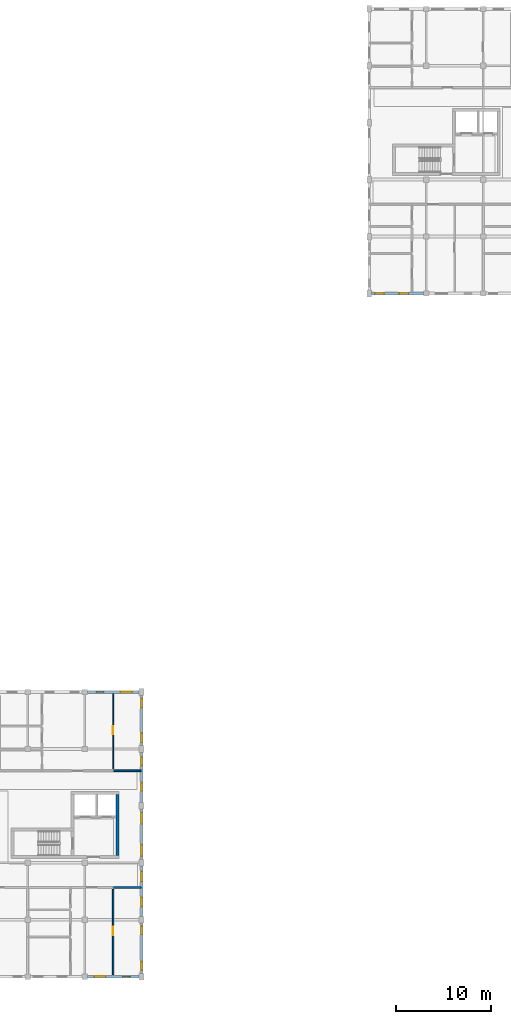
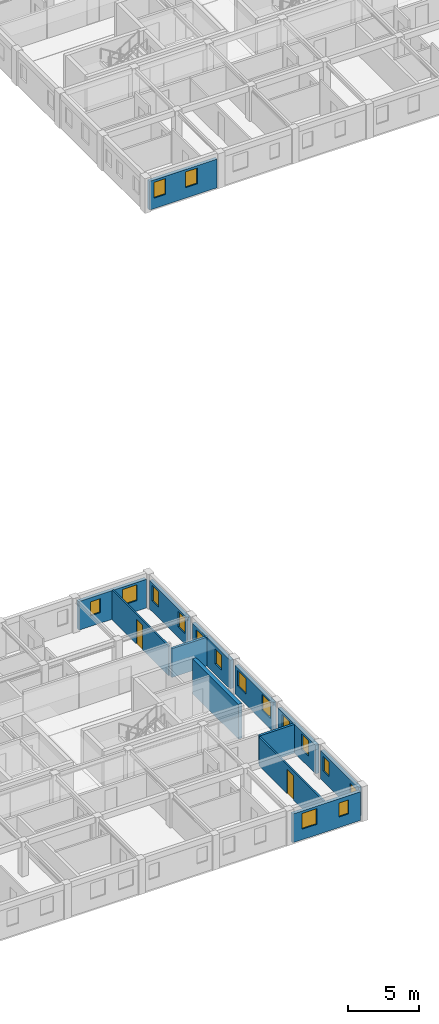
# One storey, part 19 of 28: 16 windows, 13 walls, 2 doors, 18 openings.
"""IFC4 building model written with IfcOpenShell, lengths in metres."""

from ifc_helpers import new_model, si_unit, direction, frame, frame_2d, origin, place, context, subcontext, project, spatial, rectangle, extrude, material, layer, layer_set, type_object, element, fill, save


model = new_model("IFC4")

# Units and contexts
model_context = context("Model", 3, precision=1e-05, world=origin(), true_north=direction((0.0, 1.0)))
body_context = subcontext(model_context, "Body", "Model", "MODEL_VIEW")
ifc_project = project(units=[si_unit("LENGTHUNIT", "METRE"), si_unit("AREAUNIT", "SQUARE_METRE"), si_unit("VOLUMEUNIT", "CUBIC_METRE"), si_unit("PLANEANGLEUNIT", "RADIAN"), si_unit("MASSUNIT", "GRAM", prefix="KILO"), si_unit("POWERUNIT", "WATT"), si_unit("THERMODYNAMICTEMPERATUREUNIT", "KELVIN")], contexts=[model_context])

# Site, building, storey
site_placement = place(None, origin())
site = spatial("IfcSite", under=ifc_project, at=site_placement, CompositionType="ELEMENT")
building_placement = place(site_placement, origin())
building = spatial("IfcBuilding", under=site, at=building_placement, Name="Ruvembo Vaulted Housing Court", CompositionType="ELEMENT")
storey_placement = place(building_placement, frame((0.0, 0.0, 23.699951171875)))
storey = spatial("IfcBuildingStorey", under=building, at=storey_placement, Name="L07", CompositionType="ELEMENT", Elevation=23.699951171875)

# Walls
ifc_material_1 = material(Name="Concrete C35/45", Category="concrete")
ifc_layer_1 = layer(ifc_material_1, 0.300048828125, Name="Concrete C35/45")
ifc_layer_set_1 = layer_set([ifc_layer_1], Name="Concrete C35/45")
wall_type_1 = type_object("IfcWallType", Name="WL-CORE-300", PredefinedType="SHEAR", material=ifc_layer_set_1)
wall_1_placement = place(storey_placement, frame((129.449951171875, 12.75, 0.0), z_axis=(0.0, 0.0, 1.0), x_axis=(0.0, 1.0, 0.0)))
element("IfcWall", 1, at=wall_1_placement, inside=storey, type_object=wall_type_1, Name="Core C2 L07 East Shear Wall", PredefinedType="SHEAR", context=body_context, shape_type="SweptSolid", body=[
    extrude(rectangle(XDim=6.449951171875, YDim=0.300048828125, at=frame_2d((3.22509765625, 0.0))), origin(), (0.0, 0.0, 1.0), 2.97509765625),
])
ifc_material_2 = material(Name="Concrete Blockwork 190", Category="masonry")
ifc_layer_2 = layer(ifc_material_2, 0.18994140625, Name="Concrete Blockwork 190")
ifc_layer_set_2 = layer_set([ifc_layer_2], Name="Concrete Blockwork 190")
wall_type_2 = type_object("IfcWallType", Name="WL-CORR-190", PredefinedType="SOLIDWALL", material=ifc_layer_set_2)
for number, where, z_axis, x_axis, name in (
    (2, (129.0400390625, 9.39990234375, 0.0), (0.0, 0.0, 1.0), (1.0, 0.0, 0.0), "L07 Flat C-L07-S3 Corridor Wall 2 WL-INT-L07-01952"),
    (3, (129.0400390625, 21.699951171875, 0.0), (0.0, 0.0, 1.0), (1.0, 0.0, 0.0), "L07 Flat C-L07-N2 Corridor Wall 2 WL-INT-L07-01971"),
):
    element("IfcWall", number, at=place(storey_placement, frame(where, z_axis=z_axis, x_axis=x_axis)), inside=storey, type_object=wall_type_2, Name=name, PredefinedType="SOLIDWALL", context=body_context, shape_type="SweptSolid", body=[
        extrude(rectangle(XDim=2.919921875, YDim=0.18994140625, at=frame_2d((1.4599609375, 0.0))), origin(), (0.0, 0.0, 1.0), 2.45703125),
    ])

# Wall, openings, windows
ifc_material_3 = material(Name="Rendered Masonry 270", Category="masonry")
ifc_layer_3 = layer(ifc_material_3, 0.27001953125, Name="Rendered Masonry 270")
ifc_layer_set_3 = layer_set([ifc_layer_3], Name="Rendered Masonry 270")
wall_type_3 = type_object("IfcWallType", Name="WL-EXT-270", PredefinedType="STANDARD", material=ifc_layer_set_3)
wall_2_placement = place(storey_placement, frame((126.27490234375, 0.0, 0.0), z_axis=(0.0, 0.0, 1.0), x_axis=(1.0, 0.0, 0.0)))
wall_2 = element("IfcWall", 4, at=wall_2_placement, inside=storey, type_object=wall_type_3, Name="Block C L07 Exterior Wall STREET #5", PredefinedType="STANDARD", context=body_context, shape_type="SweptSolid", body=[
    extrude(rectangle(XDim=5.47509765625, YDim=0.27001953125, at=frame_2d((2.737548828125, 0.0))), origin(), (0.0, 0.0, 1.0), 2.45703125),
])
opening_1_placement = place(wall_2_placement, frame((0.742431640625, 0.0, 0.89990234375)))
opening_1 = element("IfcOpeningElement", 5, at=opening_1_placement, cuts=wall_2, Name="Opening W12", PredefinedType="OPENING", context=body_context, shape_type="SweptSolid", body=[
    extrude(rectangle(XDim=1.199951171875, YDim=1.35009765625, at=frame_2d((0.60009765625, 0.675048828125))), frame((0.0, 0.14501953125, 0.0), z_axis=(0.0, -1.0, 0.0), x_axis=(1.0, 0.0, 0.0)), (0.0, 0.0, 1.0), 0.2900390625),
])
opening_2_placement = place(wall_2_placement, frame((3.719970703125, 0.0, 0.89990234375)))
opening_2 = element("IfcOpeningElement", 6, at=opening_2_placement, cuts=wall_2, Name="Opening W02", PredefinedType="OPENING", context=body_context, shape_type="SweptSolid", body=[
    extrude(rectangle(XDim=0.800048828125, YDim=1.199951171875, at=frame_2d((0.39990234375, 0.60009765625))), frame((0.0, 0.14501953125, 0.0), z_axis=(0.0, -1.0, 0.0), x_axis=(1.0, 0.0, 0.0)), (0.0, 0.0, 1.0), 0.2900390625),
])
ifc_material_4 = material(Name="Double Solar-Control Glazing in Aluminium Frame", Category="aluminium")
window_type_1 = type_object("IfcWindowType", Name="WIN-0800x1200", PartitioningType="SINGLE_PANEL", PredefinedType="WINDOW", material=ifc_material_4)
window_1_placement = place(opening_2_placement, origin())
window_1 = element("IfcWindow", 7, at=window_1_placement, inside=storey, type_object=window_type_1, Name="Block C L07 Window #1374", OverallHeight=1.199951171875, OverallWidth=0.800048828125, PartitioningType="SINGLE_PANEL", PredefinedType="WINDOW", context=body_context, shape_type="SweptSolid", body=[
    extrude(rectangle(XDim=0.800048828125, YDim=1.199951171875, at=frame_2d((0.39990234375, 0.60009765625))), frame((0.0, 0.030029296875, 0.0), z_axis=(0.0, -1.0, 0.0), x_axis=(1.0, 0.0, 0.0)), (0.0, 0.0, 1.0), 0.06005859375),
])
fill(opening_2, window_1)
window_type_2 = type_object("IfcWindowType", Name="WIN-1200x1350", PartitioningType="SINGLE_PANEL", PredefinedType="WINDOW", material=ifc_material_4)
window_2_placement = place(opening_1_placement, origin())
window_2 = element("IfcWindow", 8, at=window_2_placement, inside=storey, type_object=window_type_2, Name="Block C L07 Window #1373", OverallHeight=1.35009765625, OverallWidth=1.199951171875, PartitioningType="SINGLE_PANEL", PredefinedType="WINDOW", context=body_context, shape_type="SweptSolid", body=[
    extrude(rectangle(XDim=1.199951171875, YDim=1.35009765625, at=frame_2d((0.60009765625, 0.675048828125))), frame((0.0, 0.030029296875, 0.0), z_axis=(0.0, -1.0, 0.0), x_axis=(1.0, 0.0, 0.0)), (0.0, 0.0, 1.0), 0.06005859375),
])
fill(opening_1, window_2)

wall_3_placement = place(storey_placement, frame((132.0, 0.35009765625, 0.0), z_axis=(0.0, 0.0, 1.0), x_axis=(0.0, 1.0, 0.0)))
wall_3 = element("IfcWall", 9, at=wall_3_placement, inside=storey, type_object=wall_type_3, Name="Block C L07 Exterior Wall EAST #1", PredefinedType="STANDARD", context=body_context, shape_type="SweptSolid", body=[
    extrude(rectangle(XDim=5.2998046875, YDim=0.27001953125, at=frame_2d((2.64990234375, 0.0))), origin(), (0.0, 0.0, 1.0), 2.45703125),
])
opening_3_placement = place(wall_3_placement, frame((0.35009765625, 0.0, 0.89990234375)))
opening_3 = element("IfcOpeningElement", 10, at=opening_3_placement, cuts=wall_3, Name="Opening W03", PredefinedType="OPENING", context=body_context, shape_type="SweptSolid", body=[
    extrude(rectangle(XDim=0.85009765625, YDim=1.25, at=frame_2d((0.425048828125, 0.625))), frame((0.0, 0.14501953125, 0.0), z_axis=(0.0, -1.0, 0.0), x_axis=(1.0, 0.0, 0.0)), (0.0, 0.0, 1.0), 0.2900390625),
])
opening_4_placement = place(wall_3_placement, frame((4.10009765625, 0.0, 0.89990234375)))
opening_4 = element("IfcOpeningElement", 11, at=opening_4_placement, cuts=wall_3, Name="Opening W03", PredefinedType="OPENING", context=body_context, shape_type="SweptSolid", body=[
    extrude(rectangle(XDim=0.85009765625, YDim=1.25, at=frame_2d((0.425048828125, 0.625))), frame((0.0, 0.14501953125, 0.0), z_axis=(0.0, -1.0, 0.0), x_axis=(1.0, 0.0, 0.0)), (0.0, 0.0, 1.0), 0.2900390625),
])
window_type_3 = type_object("IfcWindowType", Name="WIN-0850x1250", PartitioningType="SINGLE_PANEL", PredefinedType="WINDOW", material=ifc_material_4)
window_3_placement = place(opening_3_placement, origin())
window_3 = element("IfcWindow", 12, at=window_3_placement, inside=storey, type_object=window_type_3, Name="Block C L07 Window #1375", OverallHeight=1.25, OverallWidth=0.85009765625, PartitioningType="SINGLE_PANEL", PredefinedType="WINDOW", context=body_context, shape_type="SweptSolid", body=[
    extrude(rectangle(XDim=0.85009765625, YDim=1.25, at=frame_2d((0.425048828125, 0.625))), frame((0.0, 0.030029296875, 0.0), z_axis=(0.0, -1.0, 0.0), x_axis=(1.0, 0.0, 0.0)), (0.0, 0.0, 1.0), 0.06005859375),
])
fill(opening_3, window_3)
window_4_placement = place(opening_4_placement, origin())
window_4 = element("IfcWindow", 13, at=window_4_placement, inside=storey, type_object=window_type_3, Name="Block C L07 Window #1376", OverallHeight=1.25, OverallWidth=0.85009765625, PartitioningType="SINGLE_PANEL", PredefinedType="WINDOW", context=body_context, shape_type="SweptSolid", body=[
    extrude(rectangle(XDim=0.85009765625, YDim=1.25, at=frame_2d((0.425048828125, 0.625))), frame((0.0, 0.030029296875, 0.0), z_axis=(0.0, -1.0, 0.0), x_axis=(1.0, 0.0, 0.0)), (0.0, 0.0, 1.0), 0.06005859375),
])
fill(opening_4, window_4)

wall_4_placement = place(storey_placement, frame((132.0, 6.35009765625, 0.0), z_axis=(0.0, 0.0, 1.0), x_axis=(0.0, 1.0, 0.0)))
wall_4 = element("IfcWall", 14, at=wall_4_placement, inside=storey, type_object=wall_type_3, Name="Block C L07 Exterior Wall EAST #2", PredefinedType="STANDARD", context=body_context, shape_type="SweptSolid", body=[
    extrude(rectangle(XDim=5.2998046875, YDim=0.27001953125, at=frame_2d((2.64990234375, 0.0))), origin(), (0.0, 0.0, 1.0), 2.45703125),
])
opening_5_placement = place(wall_4_placement, frame((1.030029296875, 0.0, 0.89990234375)))
opening_5 = element("IfcOpeningElement", 15, at=opening_5_placement, cuts=wall_4, Name="Opening W07", PredefinedType="OPENING", context=body_context, shape_type="SweptSolid", body=[
    extrude(rectangle(XDim=0.949951171875, YDim=1.35009765625, at=frame_2d((0.47509765625, 0.675048828125))), frame((0.0, 0.14501953125, 0.0), z_axis=(0.0, -1.0, 0.0), x_axis=(1.0, 0.0, 0.0)), (0.0, 0.0, 1.0), 0.2900390625),
])
opening_6_placement = place(wall_4_placement, frame((3.669921875, 0.0, 0.89990234375)))
opening_6 = element("IfcOpeningElement", 16, at=opening_6_placement, cuts=wall_4, Name="Opening W09", PredefinedType="OPENING", context=body_context, shape_type="SweptSolid", body=[
    extrude(rectangle(XDim=1.050048828125, YDim=1.35009765625, at=frame_2d((0.52490234375, 0.675048828125))), frame((0.0, 0.14501953125, 0.0), z_axis=(0.0, -1.0, 0.0), x_axis=(1.0, 0.0, 0.0)), (0.0, 0.0, 1.0), 0.2900390625),
])
window_type_4 = type_object("IfcWindowType", Name="WIN-0950x1350", PartitioningType="SINGLE_PANEL", PredefinedType="WINDOW", material=ifc_material_4)
window_5_placement = place(opening_5_placement, origin())
window_5 = element("IfcWindow", 17, at=window_5_placement, inside=storey, type_object=window_type_4, Name="Block C L07 Window #1377", OverallHeight=1.35009765625, OverallWidth=0.949951171875, PartitioningType="SINGLE_PANEL", PredefinedType="WINDOW", context=body_context, shape_type="SweptSolid", body=[
    extrude(rectangle(XDim=0.949951171875, YDim=1.35009765625, at=frame_2d((0.47509765625, 0.675048828125))), frame((0.0, 0.030029296875, 0.0), z_axis=(0.0, -1.0, 0.0), x_axis=(1.0, 0.0, 0.0)), (0.0, 0.0, 1.0), 0.06005859375),
])
fill(opening_5, window_5)
window_type_5 = type_object("IfcWindowType", Name="WIN-1050x1350", PartitioningType="SINGLE_PANEL", PredefinedType="WINDOW", material=ifc_material_4)
window_6_placement = place(opening_6_placement, origin())
window_6 = element("IfcWindow", 18, at=window_6_placement, inside=storey, type_object=window_type_5, Name="Block C L07 Window #1378", OverallHeight=1.35009765625, OverallWidth=1.050048828125, PartitioningType="SINGLE_PANEL", PredefinedType="WINDOW", context=body_context, shape_type="SweptSolid", body=[
    extrude(rectangle(XDim=1.050048828125, YDim=1.35009765625, at=frame_2d((0.52490234375, 0.675048828125))), frame((0.0, 0.030029296875, 0.0), z_axis=(0.0, -1.0, 0.0), x_axis=(1.0, 0.0, 0.0)), (0.0, 0.0, 1.0), 0.06005859375),
])
fill(opening_6, window_6)

wall_5_placement = place(storey_placement, frame((132.0, 12.35009765625, 0.0), z_axis=(0.0, 0.0, 1.0), x_axis=(0.0, 1.0, 0.0)))
wall_5 = element("IfcWall", 19, at=wall_5_placement, inside=storey, type_object=wall_type_3, Name="Block C L07 Exterior Wall EAST #3", PredefinedType="STANDARD", context=body_context, shape_type="SweptSolid", body=[
    extrude(rectangle(XDim=5.2998046875, YDim=0.27001953125, at=frame_2d((2.64990234375, 0.0))), origin(), (0.0, 0.0, 1.0), 2.45703125),
])
opening_7_placement = place(wall_5_placement, frame((0.35009765625, 0.0, 0.89990234375)))
opening_7 = element("IfcOpeningElement", 20, at=opening_7_placement, cuts=wall_5, Name="Opening W12", PredefinedType="OPENING", context=body_context, shape_type="SweptSolid", body=[
    extrude(rectangle(XDim=1.199951171875, YDim=1.35009765625, at=frame_2d((0.60009765625, 0.675048828125))), frame((0.0, 0.14501953125, 0.0), z_axis=(0.0, -1.0, 0.0), x_axis=(1.0, 0.0, 0.0)), (0.0, 0.0, 1.0), 0.2900390625),
])
opening_8_placement = place(wall_5_placement, frame((3.75, 0.0, 0.89990234375)))
opening_8 = element("IfcOpeningElement", 21, at=opening_8_placement, cuts=wall_5, Name="Opening W12", PredefinedType="OPENING", context=body_context, shape_type="SweptSolid", body=[
    extrude(rectangle(XDim=1.199951171875, YDim=1.35009765625, at=frame_2d((0.60009765625, 0.675048828125))), frame((0.0, 0.14501953125, 0.0), z_axis=(0.0, -1.0, 0.0), x_axis=(1.0, 0.0, 0.0)), (0.0, 0.0, 1.0), 0.2900390625),
])
window_7_placement = place(opening_7_placement, origin())
window_7 = element("IfcWindow", 22, at=window_7_placement, inside=storey, type_object=window_type_2, Name="Block C L07 Window #1379", OverallHeight=1.35009765625, OverallWidth=1.199951171875, PartitioningType="SINGLE_PANEL", PredefinedType="WINDOW", context=body_context, shape_type="SweptSolid", body=[
    extrude(rectangle(XDim=1.199951171875, YDim=1.35009765625, at=frame_2d((0.60009765625, 0.675048828125))), frame((0.0, 0.030029296875, 0.0), z_axis=(0.0, -1.0, 0.0), x_axis=(1.0, 0.0, 0.0)), (0.0, 0.0, 1.0), 0.06005859375),
])
fill(opening_7, window_7)
window_8_placement = place(opening_8_placement, origin())
window_8 = element("IfcWindow", 23, at=window_8_placement, inside=storey, type_object=window_type_2, Name="Block C L07 Window #1380", OverallHeight=1.35009765625, OverallWidth=1.199951171875, PartitioningType="SINGLE_PANEL", PredefinedType="WINDOW", context=body_context, shape_type="SweptSolid", body=[
    extrude(rectangle(XDim=1.199951171875, YDim=1.35009765625, at=frame_2d((0.60009765625, 0.675048828125))), frame((0.0, 0.030029296875, 0.0), z_axis=(0.0, -1.0, 0.0), x_axis=(1.0, 0.0, 0.0)), (0.0, 0.0, 1.0), 0.06005859375),
])
fill(opening_8, window_8)

wall_6_placement = place(storey_placement, frame((132.0, 18.35009765625, 0.0), z_axis=(0.0, 0.0, 1.0), x_axis=(0.0, 1.0, 0.0)))
wall_6 = element("IfcWall", 24, at=wall_6_placement, inside=storey, type_object=wall_type_3, Name="Block C L07 Exterior Wall EAST #4", PredefinedType="STANDARD", context=body_context, shape_type="SweptSolid", body=[
    extrude(rectangle(XDim=5.2998046875, YDim=0.27001953125, at=frame_2d((2.64990234375, 0.0))), origin(), (0.0, 0.0, 1.0), 2.45703125),
])
opening_9_placement = place(wall_6_placement, frame((1.22998046875, 0.0, 0.89990234375)))
opening_9 = element("IfcOpeningElement", 25, at=opening_9_placement, cuts=wall_6, Name="Opening W03", PredefinedType="OPENING", context=body_context, shape_type="SweptSolid", body=[
    extrude(rectangle(XDim=0.85009765625, YDim=1.25, at=frame_2d((0.425048828125, 0.625))), frame((0.0, 0.14501953125, 0.0), z_axis=(0.0, -1.0, 0.0), x_axis=(1.0, 0.0, 0.0)), (0.0, 0.0, 1.0), 0.2900390625),
])
opening_10_placement = place(wall_6_placement, frame((3.89501953125, 0.0, 0.89990234375)))
opening_10 = element("IfcOpeningElement", 26, at=opening_10_placement, cuts=wall_6, Name="Opening W04", PredefinedType="OPENING", context=body_context, shape_type="SweptSolid", body=[
    extrude(rectangle(XDim=0.89990234375, YDim=1.300048828125, at=frame_2d((0.449951171875, 0.64990234375))), frame((0.0, 0.14501953125, 0.0), z_axis=(0.0, -1.0, 0.0), x_axis=(1.0, 0.0, 0.0)), (0.0, 0.0, 1.0), 0.2900390625),
])
window_9_placement = place(opening_9_placement, origin())
window_9 = element("IfcWindow", 27, at=window_9_placement, inside=storey, type_object=window_type_3, Name="Block C L07 Window #1381", OverallHeight=1.25, OverallWidth=0.85009765625, PartitioningType="SINGLE_PANEL", PredefinedType="WINDOW", context=body_context, shape_type="SweptSolid", body=[
    extrude(rectangle(XDim=0.85009765625, YDim=1.25, at=frame_2d((0.425048828125, 0.625))), frame((0.0, 0.030029296875, 0.0), z_axis=(0.0, -1.0, 0.0), x_axis=(1.0, 0.0, 0.0)), (0.0, 0.0, 1.0), 0.06005859375),
])
fill(opening_9, window_9)
window_type_6 = type_object("IfcWindowType", Name="WIN-0900x1300", PartitioningType="SINGLE_PANEL", PredefinedType="WINDOW", material=ifc_material_4)
window_10_placement = place(opening_10_placement, origin())
window_10 = element("IfcWindow", 28, at=window_10_placement, inside=storey, type_object=window_type_6, Name="Block C L07 Window #1382", OverallHeight=1.300048828125, OverallWidth=0.89990234375, PartitioningType="SINGLE_PANEL", PredefinedType="WINDOW", context=body_context, shape_type="SweptSolid", body=[
    extrude(rectangle(XDim=0.89990234375, YDim=1.300048828125, at=frame_2d((0.449951171875, 0.64990234375))), frame((0.0, 0.030029296875, 0.0), z_axis=(0.0, -1.0, 0.0), x_axis=(1.0, 0.0, 0.0)), (0.0, 0.0, 1.0), 0.06005859375),
])
fill(opening_10, window_10)

wall_7_placement = place(storey_placement, frame((132.0, 24.35009765625, 0.0), z_axis=(0.0, 0.0, 1.0), x_axis=(0.0, 1.0, 0.0)))
wall_7 = element("IfcWall", 29, at=wall_7_placement, inside=storey, type_object=wall_type_3, Name="Block C L07 Exterior Wall EAST #5", PredefinedType="STANDARD", context=body_context, shape_type="SweptSolid", body=[
    extrude(rectangle(XDim=5.2998046875, YDim=0.27001953125, at=frame_2d((2.64990234375, 0.0))), origin(), (0.0, 0.0, 1.0), 2.45703125),
])
opening_11_placement = place(wall_7_placement, frame((0.35009765625, 0.0, 0.89990234375)))
opening_11 = element("IfcOpeningElement", 30, at=opening_11_placement, cuts=wall_7, Name="Opening W07", PredefinedType="OPENING", context=body_context, shape_type="SweptSolid", body=[
    extrude(rectangle(XDim=0.949951171875, YDim=1.35009765625, at=frame_2d((0.47509765625, 0.675048828125))), frame((0.0, 0.14501953125, 0.0), z_axis=(0.0, -1.0, 0.0), x_axis=(1.0, 0.0, 0.0)), (0.0, 0.0, 1.0), 0.2900390625),
])
opening_12_placement = place(wall_7_placement, frame((4.0, 0.0, 0.89990234375)))
opening_12 = element("IfcOpeningElement", 31, at=opening_12_placement, cuts=wall_7, Name="Opening W07", PredefinedType="OPENING", context=body_context, shape_type="SweptSolid", body=[
    extrude(rectangle(XDim=0.949951171875, YDim=1.35009765625, at=frame_2d((0.47509765625, 0.675048828125))), frame((0.0, 0.14501953125, 0.0), z_axis=(0.0, -1.0, 0.0), x_axis=(1.0, 0.0, 0.0)), (0.0, 0.0, 1.0), 0.2900390625),
])
window_11_placement = place(opening_11_placement, origin())
window_11 = element("IfcWindow", 32, at=window_11_placement, inside=storey, type_object=window_type_4, Name="Block C L07 Window #1383", OverallHeight=1.35009765625, OverallWidth=0.949951171875, PartitioningType="SINGLE_PANEL", PredefinedType="WINDOW", context=body_context, shape_type="SweptSolid", body=[
    extrude(rectangle(XDim=0.949951171875, YDim=1.35009765625, at=frame_2d((0.47509765625, 0.675048828125))), frame((0.0, 0.030029296875, 0.0), z_axis=(0.0, -1.0, 0.0), x_axis=(1.0, 0.0, 0.0)), (0.0, 0.0, 1.0), 0.06005859375),
])
fill(opening_11, window_11)
window_12_placement = place(opening_12_placement, origin())
window_12 = element("IfcWindow", 33, at=window_12_placement, inside=storey, type_object=window_type_4, Name="Block C L07 Window #1384", OverallHeight=1.35009765625, OverallWidth=0.949951171875, PartitioningType="SINGLE_PANEL", PredefinedType="WINDOW", context=body_context, shape_type="SweptSolid", body=[
    extrude(rectangle(XDim=0.949951171875, YDim=1.35009765625, at=frame_2d((0.47509765625, 0.675048828125))), frame((0.0, 0.030029296875, 0.0), z_axis=(0.0, -1.0, 0.0), x_axis=(1.0, 0.0, 0.0)), (0.0, 0.0, 1.0), 0.06005859375),
])
fill(opening_12, window_12)

wall_8_placement = place(storey_placement, frame((131.75, 30.0, 0.0), z_axis=(0.0, 0.0, 1.0), x_axis=(-1.0, 0.0, 0.0)))
wall_8 = element("IfcWall", 34, at=wall_8_placement, inside=storey, type_object=wall_type_3, Name="Block C L07 Exterior Wall COURTYARD #1", PredefinedType="STANDARD", context=body_context, shape_type="SweptSolid", body=[
    extrude(rectangle(XDim=5.47509765625, YDim=0.27001953125, at=frame_2d((2.737548828125, 0.0))), origin(), (0.0, 0.0, 1.0), 2.45703125),
])
opening_13_placement = place(wall_8_placement, frame((0.7548828125, 0.0, 0.89990234375)))
opening_13 = element("IfcOpeningElement", 35, at=opening_13_placement, cuts=wall_8, Name="Opening W12", PredefinedType="OPENING", context=body_context, shape_type="SweptSolid", body=[
    extrude(rectangle(XDim=1.199951171875, YDim=1.35009765625, at=frame_2d((0.60009765625, 0.675048828125))), frame((0.0, 0.14501953125, 0.0), z_axis=(0.0, -1.0, 0.0), x_axis=(1.0, 0.0, 0.0)), (0.0, 0.0, 1.0), 0.2900390625),
])
opening_14_placement = place(wall_8_placement, frame((3.732421875, 0.0, 0.89990234375)))
opening_14 = element("IfcOpeningElement", 36, at=opening_14_placement, cuts=wall_8, Name="Opening W02", PredefinedType="OPENING", context=body_context, shape_type="SweptSolid", body=[
    extrude(rectangle(XDim=0.800048828125, YDim=1.199951171875, at=frame_2d((0.39990234375, 0.60009765625))), frame((0.0, 0.14501953125, 0.0), z_axis=(0.0, -1.0, 0.0), x_axis=(1.0, 0.0, 0.0)), (0.0, 0.0, 1.0), 0.2900390625),
])
window_13_placement = place(opening_14_placement, origin())
window_13 = element("IfcWindow", 37, at=window_13_placement, inside=storey, type_object=window_type_1, Name="Block C L07 Window #1386", OverallHeight=1.199951171875, OverallWidth=0.800048828125, PartitioningType="SINGLE_PANEL", PredefinedType="WINDOW", context=body_context, shape_type="SweptSolid", body=[
    extrude(rectangle(XDim=0.800048828125, YDim=1.199951171875, at=frame_2d((0.39990234375, 0.60009765625))), frame((0.0, 0.030029296875, 0.0), z_axis=(0.0, -1.0, 0.0), x_axis=(1.0, 0.0, 0.0)), (0.0, 0.0, 1.0), 0.06005859375),
])
fill(opening_14, window_13)
window_14_placement = place(opening_13_placement, origin())
window_14 = element("IfcWindow", 38, at=window_14_placement, inside=storey, type_object=window_type_2, Name="Block C L07 Window #1385", OverallHeight=1.35009765625, OverallWidth=1.199951171875, PartitioningType="SINGLE_PANEL", PredefinedType="WINDOW", context=body_context, shape_type="SweptSolid", body=[
    extrude(rectangle(XDim=1.199951171875, YDim=1.35009765625, at=frame_2d((0.60009765625, 0.675048828125))), frame((0.0, 0.030029296875, 0.0), z_axis=(0.0, -1.0, 0.0), x_axis=(1.0, 0.0, 0.0)), (0.0, 0.0, 1.0), 0.06005859375),
])
fill(opening_13, window_14)

wall_9_placement = place(storey_placement, frame((156.25, 72.0, 0.0), z_axis=(0.0, 0.0, 1.0), x_axis=(1.0, 0.0, 0.0)))
wall_9 = element("IfcWall", 39, at=wall_9_placement, inside=storey, type_object=wall_type_3, Name="Block D L07 Exterior Wall COURTYARD #1", PredefinedType="STANDARD", context=body_context, shape_type="SweptSolid", body=[
    extrude(rectangle(XDim=5.47509765625, YDim=0.27001953125, at=frame_2d((2.737548828125, 0.0))), origin(), (0.0, 0.0, 1.0), 2.45703125),
])
opening_15_placement = place(wall_9_placement, frame((0.35009765625, 0.0, 0.89990234375)))
opening_15 = element("IfcOpeningElement", 40, at=opening_15_placement, cuts=wall_9, Name="Opening W07", PredefinedType="OPENING", context=body_context, shape_type="SweptSolid", body=[
    extrude(rectangle(XDim=0.949951171875, YDim=1.35009765625, at=frame_2d((0.47509765625, 0.675048828125))), frame((0.0, 0.14501953125, 0.0), z_axis=(0.0, -1.0, 0.0), x_axis=(1.0, 0.0, 0.0)), (0.0, 0.0, 1.0), 0.2900390625),
])
opening_16_placement = place(wall_9_placement, frame((2.909912109375, 0.0, 0.89990234375)))
opening_16 = element("IfcOpeningElement", 41, at=opening_16_placement, cuts=wall_9, Name="Opening W07", PredefinedType="OPENING", context=body_context, shape_type="SweptSolid", body=[
    extrude(rectangle(XDim=0.949951171875, YDim=1.35009765625, at=frame_2d((0.47509765625, 0.675048828125))), frame((0.0, 0.14501953125, 0.0), z_axis=(0.0, -1.0, 0.0), x_axis=(1.0, 0.0, 0.0)), (0.0, 0.0, 1.0), 0.2900390625),
])
window_15_placement = place(opening_15_placement, origin())
window_15 = element("IfcWindow", 42, at=window_15_placement, inside=storey, type_object=window_type_4, Name="Block D L07 Window #1743", OverallHeight=1.35009765625, OverallWidth=0.949951171875, PartitioningType="SINGLE_PANEL", PredefinedType="WINDOW", context=body_context, shape_type="SweptSolid", body=[
    extrude(rectangle(XDim=0.949951171875, YDim=1.35009765625, at=frame_2d((0.47509765625, 0.675048828125))), frame((0.0, 0.030029296875, 0.0), z_axis=(0.0, -1.0, 0.0), x_axis=(1.0, 0.0, 0.0)), (0.0, 0.0, 1.0), 0.06005859375),
])
fill(opening_15, window_15)
window_16_placement = place(opening_16_placement, origin())
window_16 = element("IfcWindow", 43, at=window_16_placement, inside=storey, type_object=window_type_4, Name="Block D L07 Window #1744", OverallHeight=1.35009765625, OverallWidth=0.949951171875, PartitioningType="SINGLE_PANEL", PredefinedType="WINDOW", context=body_context, shape_type="SweptSolid", body=[
    extrude(rectangle(XDim=0.949951171875, YDim=1.35009765625, at=frame_2d((0.47509765625, 0.675048828125))), frame((0.0, 0.030029296875, 0.0), z_axis=(0.0, -1.0, 0.0), x_axis=(1.0, 0.0, 0.0)), (0.0, 0.0, 1.0), 0.06005859375),
])
fill(opening_16, window_16)

# Wall, opening, door
ifc_material_5 = material(Name="Plasterboard Stud Partition 125", Category="gypsum")
ifc_layer_4 = layer(ifc_material_5, 0.125, Name="Plasterboard Stud Partition 125")
ifc_layer_set_4 = layer_set([ifc_layer_4], Name="Plasterboard Stud Partition 125")
wall_type_4 = type_object("IfcWallType", Name="WL-PART-125", PredefinedType="PARTITIONING", material=ifc_layer_set_4)
wall_10_placement = place(storey_placement, frame((129.0, 21.889892578125, 0.0), z_axis=(0.0, 0.0, 1.0), x_axis=(0.0, 1.0, 0.0)))
wall_10 = element("IfcWall", 44, at=wall_10_placement, inside=storey, type_object=wall_type_4, Name="L07 Flat C-L07-N2 Bedroom 2 WL-INT-L07-01972", PredefinedType="PARTITIONING", context=body_context, shape_type="SweptSolid", body=[
    extrude(rectangle(XDim=7.920166015625, YDim=0.125, at=frame_2d((3.9599609375, 0.0))), origin(), (0.0, 0.0, 1.0), 2.548095703125),
])
opening_17_placement = place(wall_10_placement, frame((3.64990234375, 0.0, 0.0)))
opening_17 = element("IfcOpeningElement", 45, at=opening_17_placement, cuts=wall_10, Name="Opening ID3", PredefinedType="OPENING", context=body_context, shape_type="SweptSolid", body=[
    extrude(rectangle(XDim=0.8798828125, YDim=2.10009765625, at=frame_2d((0.43994140625, 1.050048828125))), frame((0.0, 0.072509765625, 0.0), z_axis=(0.0, -1.0, 0.0), x_axis=(1.0, 0.0, 0.0)), (0.0, 0.0, 1.0), 0.14501953125),
])
ifc_material_6 = material(Name="FSC Hardwood and Engineered Timber", Category="wood")
door_type = type_object("IfcDoorType", Name="DR-ROOM-0880x2100", OperationType="NOTDEFINED", PredefinedType="DOOR", material=ifc_material_6)
door_1_placement = place(opening_17_placement, origin())
door_1 = element("IfcDoor", 46, at=door_1_placement, inside=storey, type_object=door_type, Name="L07 Flat C-L07-N2 Bedroom 2 Door DR-INT-L07-01105", OperationType="SINGLE_SWING_LEFT", OverallHeight=2.10009765625, OverallWidth=0.8798828125, PredefinedType="DOOR", context=body_context, shape_type="SweptSolid", body=[
    extrude(rectangle(XDim=0.8798828125, YDim=2.10009765625, at=frame_2d((0.43994140625, 1.050048828125))), frame((0.0, 0.02490234375, 0.0), z_axis=(0.0, -1.0, 0.0), x_axis=(1.0, 0.0, 0.0)), (0.0, 0.0, 1.0), 0.050048828125),
])
fill(opening_17, door_1)

ifc_material_7 = material(Name="Acoustic Stud Partition 135", Category="gypsum")
ifc_layer_5 = layer(ifc_material_7, 0.135009765625, Name="Acoustic Stud Partition 135")
ifc_layer_set_5 = layer_set([ifc_layer_5], Name="Acoustic Stud Partition 135")
wall_type_5 = type_object("IfcWallType", Name="WL-PART-135", PredefinedType="PARTITIONING", material=ifc_layer_set_5)
wall_11_placement = place(storey_placement, frame((129.0, 0.18994140625, 0.0), z_axis=(0.0, 0.0, 1.0), x_axis=(0.0, 1.0, 0.0)))
wall_11 = element("IfcWall", 47, at=wall_11_placement, inside=storey, type_object=wall_type_5, Name="L07 Flat C-L07-S3 Bedroom 2 WL-INT-L07-01953", PredefinedType="PARTITIONING", context=body_context, shape_type="SweptSolid", body=[
    extrude(rectangle(XDim=9.02001953125, YDim=0.135009765625, at=frame_2d((4.510009765625, 0.0))), origin(), (0.0, 0.0, 1.0), 2.45703125),
])
opening_18_placement = place(wall_11_placement, frame((4.199951171875, 0.0, 0.0)))
opening_18 = element("IfcOpeningElement", 48, at=opening_18_placement, cuts=wall_11, Name="Opening ID3", PredefinedType="OPENING", context=body_context, shape_type="SweptSolid", body=[
    extrude(rectangle(XDim=0.8798828125, YDim=2.10009765625, at=frame_2d((0.43994140625, 1.050048828125))), frame((0.0, 0.077392578125, 0.0), z_axis=(0.0, -1.0, 0.0), x_axis=(1.0, 0.0, 0.0)), (0.0, 0.0, 1.0), 0.155029296875),
])
door_2_placement = place(opening_18_placement, origin())
door_2 = element("IfcDoor", 49, at=door_2_placement, inside=storey, type_object=door_type, Name="L07 Flat C-L07-S3 Bedroom 2 Door DR-INT-L07-01095", OperationType="SINGLE_SWING_LEFT", OverallHeight=2.10009765625, OverallWidth=0.8798828125, PredefinedType="DOOR", context=body_context, shape_type="SweptSolid", body=[
    extrude(rectangle(XDim=0.8798828125, YDim=2.10009765625, at=frame_2d((0.43994140625, 1.050048828125))), frame((0.0, 0.02490234375, 0.0), z_axis=(0.0, -1.0, 0.0), x_axis=(1.0, 0.0, 0.0)), (0.0, 0.0, 1.0), 0.050048828125),
])
fill(opening_18, door_2)

save(model, "model.ifc")
